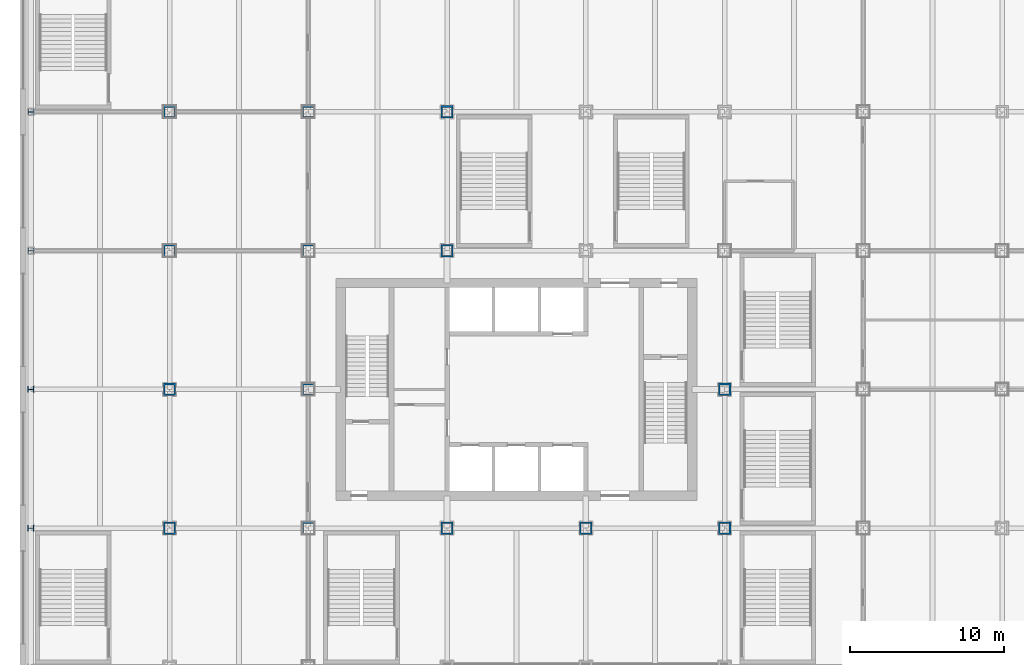
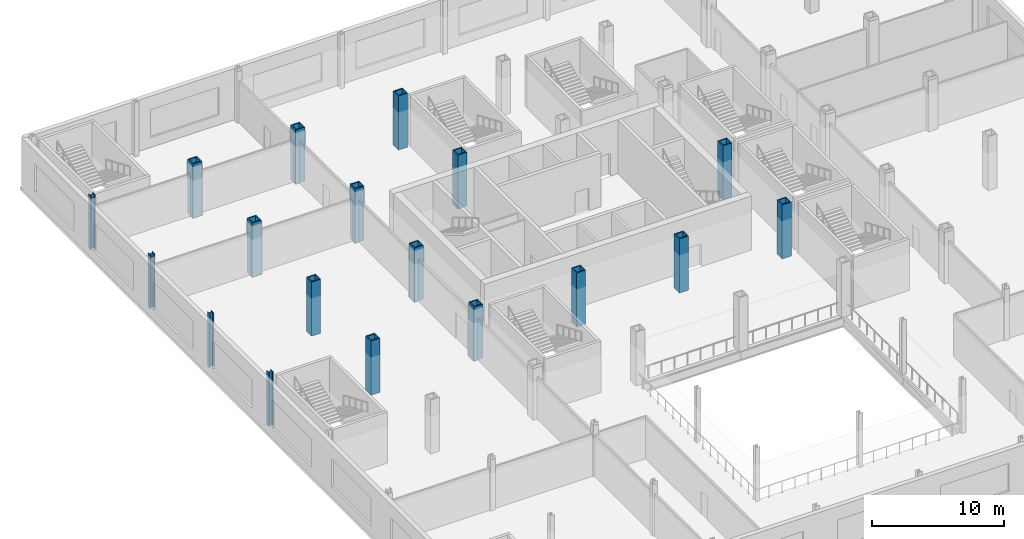
# One storey, part 3 of 31: 18 columns.
"""IFC4 building model written with IfcOpenShell, lengths in metres."""

from ifc_helpers import new_model, si_unit, direction, frame, origin, origin_2d, place, context, subcontext, project, spatial, hollow_rectangle, i_section, extrude, material, material_profile, profile_set, type_object, element, save


model = new_model("IFC4")

# Units and contexts
model_context = context("Model", 3, precision=1e-05, world=origin(), true_north=direction((0.0, 1.0)))
body_context = subcontext(model_context, "Body", "Model", "MODEL_VIEW")
ifc_project = project(units=[si_unit("LENGTHUNIT", "METRE"), si_unit("AREAUNIT", "SQUARE_METRE"), si_unit("VOLUMEUNIT", "CUBIC_METRE"), si_unit("PLANEANGLEUNIT", "RADIAN"), si_unit("MASSUNIT", "GRAM", prefix="KILO")], contexts=[model_context])

# Site, building, storey
site_placement = place(None, origin())
site = spatial("IfcSite", under=ifc_project, at=site_placement, CompositionType="ELEMENT")
building_placement = place(site_placement, origin())
building = spatial("IfcBuilding", under=site, at=building_placement, Name="Loomwork Tower", CompositionType="ELEMENT")
storey_placement = place(building_placement, frame((0.0, 0.0, 11.0)))
storey = spatial("IfcBuildingStorey", under=building, at=storey_placement, Name="L02", CompositionType="ELEMENT", Elevation=11.0)

# Columns
ifc_material_1 = material(Name="Steel ASTM A572 Grade 50 plate", Category="steel")
ifc_material_profile_1 = material_profile(ifc_material_1, hollow_rectangle(XDim=0.800048828125, YDim=0.800048828125, WallThickness=0.10009765625, at=origin_2d()), Name="BOX800x100")
ifc_profile_set_1 = profile_set([ifc_material_profile_1], Name="Steel ASTM A572 Grade 50 plate")
column_type_1 = type_object("IfcColumnType", Name="EXOSKELETON PIER BOX800x100", PredefinedType="COLUMN", material=ifc_profile_set_1)
for number, where, z_axis, x_axis, name in (
    (1, (0.0, 9.0, 0.0), (0.0, 0.0, 1.0), (0.0, 1.0, 0.0), "Exoskeleton Pier E/2 L02"),
    (2, (0.0, 18.0, 0.0), (0.0, 0.0, 1.0), (0.0, 1.0, 0.0), "Exoskeleton Pier F/2 L02"),
    (3, (0.0, 27.0, 0.0), (0.0, 0.0, 1.0), (0.0, 1.0, 0.0), "Exoskeleton Pier G/2 L02"),
    (4, (0.0, 36.0, 0.0), (0.0, 0.0, 1.0), (1.0, 0.0, 0.0), "Exoskeleton Pier H/2 L02"),
    (5, (9.0, 36.0, 0.0), (0.0, 0.0, 1.0), (1.0, 0.0, 0.0), "Exoskeleton Pier H/3 L02"),
    (6, (18.0, 36.0, 0.0), (0.0, 0.0, 1.0), (1.0, 0.0, 0.0), "Exoskeleton Pier H/4 L02"),
):
    element("IfcColumn", number, at=place(storey_placement, frame(where, z_axis=z_axis, x_axis=x_axis)), inside=storey, type_object=column_type_1, Name=name, PredefinedType="COLUMN", context=body_context, shape_type="SweptSolid", body=[
        extrude(hollow_rectangle(XDim=0.800048828125, YDim=0.800048828125, WallThickness=0.10009765625, at=origin_2d()), origin(), (0.0, 0.0, 1.0), 5.0),
    ])
ifc_material_2 = material(Name="Steel ASTM A992", Category="steel")
ifc_material_profile_2 = material_profile(ifc_material_2, i_section(OverallWidth=0.393798828125, OverallDepth=0.3759765625, WebThickness=0.017333984375, FlangeThickness=0.027587890625, at=origin_2d()), Name="W14x145")
ifc_profile_set_2 = profile_set([ifc_material_profile_2], Name="Steel ASTM A992")
column_type_2 = type_object("IfcColumnType", Name="PODIUM COLUMN W14x145", PredefinedType="COLUMN", material=ifc_profile_set_2)
for number, where, z_axis, x_axis, name in (
    (7, (-9.0, 9.0, 0.0), (0.0, 0.0, 1.0), (0.0, 1.0, 0.0), "Podium Column E/1 L02"),
    (8, (-9.0, 18.0, 0.0), (0.0, 0.0, 1.0), (0.0, 1.0, 0.0), "Podium Column F/1 L02"),
    (9, (-9.0, 27.0, 0.0), (0.0, 0.0, 1.0), (0.0, 1.0, 0.0), "Podium Column G/1 L02"),
    (10, (-9.0, 36.0, 0.0), (0.0, 0.0, 1.0), (0.0, 1.0, 0.0), "Podium Column H/1 L02"),
):
    element("IfcColumn", number, at=place(storey_placement, frame(where, z_axis=z_axis, x_axis=x_axis)), inside=storey, type_object=column_type_2, Name=name, PredefinedType="COLUMN", context=body_context, shape_type="SweptSolid", body=[
        extrude(i_section(OverallWidth=0.393798828125, OverallDepth=0.3759765625, WebThickness=0.017333984375, FlangeThickness=0.027587890625, at=origin_2d()), origin(), (0.0, 0.0, 1.0), 5.0),
    ])
ifc_material_3 = material(Name="Steel ASTM A572 Grade 50 plate", Category="steel")
ifc_material_profile_3 = material_profile(ifc_material_3, hollow_rectangle(XDim=0.800048828125, YDim=0.800048828125, WallThickness=0.10009765625, at=origin_2d()), Name="BOX800x100")
ifc_profile_set_3 = profile_set([ifc_material_profile_3], Name="Steel ASTM A572 Grade 50 plate")
column_type_3 = type_object("IfcColumnType", Name="TOWER COLUMN BOX800x100", PredefinedType="COLUMN", material=ifc_profile_set_3)
for number, where, z_axis, x_axis, name in (
    (11, (9.0, 9.0, 0.0), (0.0, 0.0, 1.0), (1.0, 0.0, 0.0), "Tower Column E/3 L02"),
    (12, (9.0, 18.0, 0.0), (0.0, 0.0, 1.0), (1.0, 0.0, 0.0), "Tower Column F/3 L02"),
    (13, (9.0, 27.0, 0.0), (0.0, 0.0, 1.0), (1.0, 0.0, 0.0), "Tower Column G/3 L02"),
    (14, (18.0, 9.0, 0.0), (0.0, 0.0, 1.0), (1.0, 0.0, 0.0), "Tower Column E/4 L02"),
    (15, (18.0, 27.0, 0.0), (0.0, 0.0, 1.0), (1.0, 0.0, 0.0), "Tower Column G/4 L02"),
    (16, (27.0, 9.0, 0.0), (0.0, 0.0, 1.0), (1.0, 0.0, 0.0), "Tower Column E/5 L02"),
    (17, (36.0, 9.0, 0.0), (0.0, 0.0, 1.0), (0.0, 1.0, 0.0), "Tower Column E/6 L02"),
    (18, (36.0, 18.0, 0.0), (0.0, 0.0, 1.0), (0.0, 1.0, 0.0), "Tower Column F/6 L02"),
):
    element("IfcColumn", number, at=place(storey_placement, frame(where, z_axis=z_axis, x_axis=x_axis)), inside=storey, type_object=column_type_3, Name=name, PredefinedType="COLUMN", context=body_context, shape_type="SweptSolid", body=[
        extrude(hollow_rectangle(XDim=0.800048828125, YDim=0.800048828125, WallThickness=0.10009765625, at=origin_2d()), origin(), (0.0, 0.0, 1.0), 5.0),
    ])

save(model, "model.ifc")
